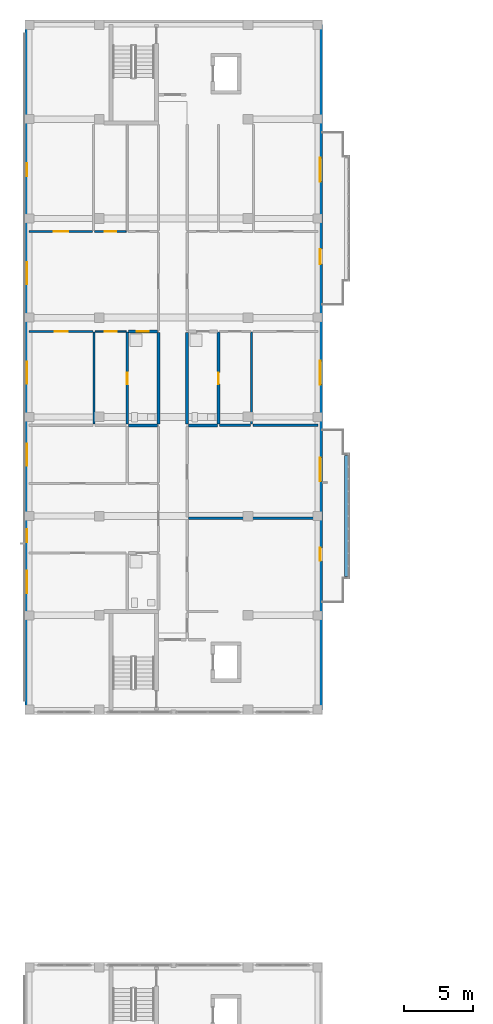
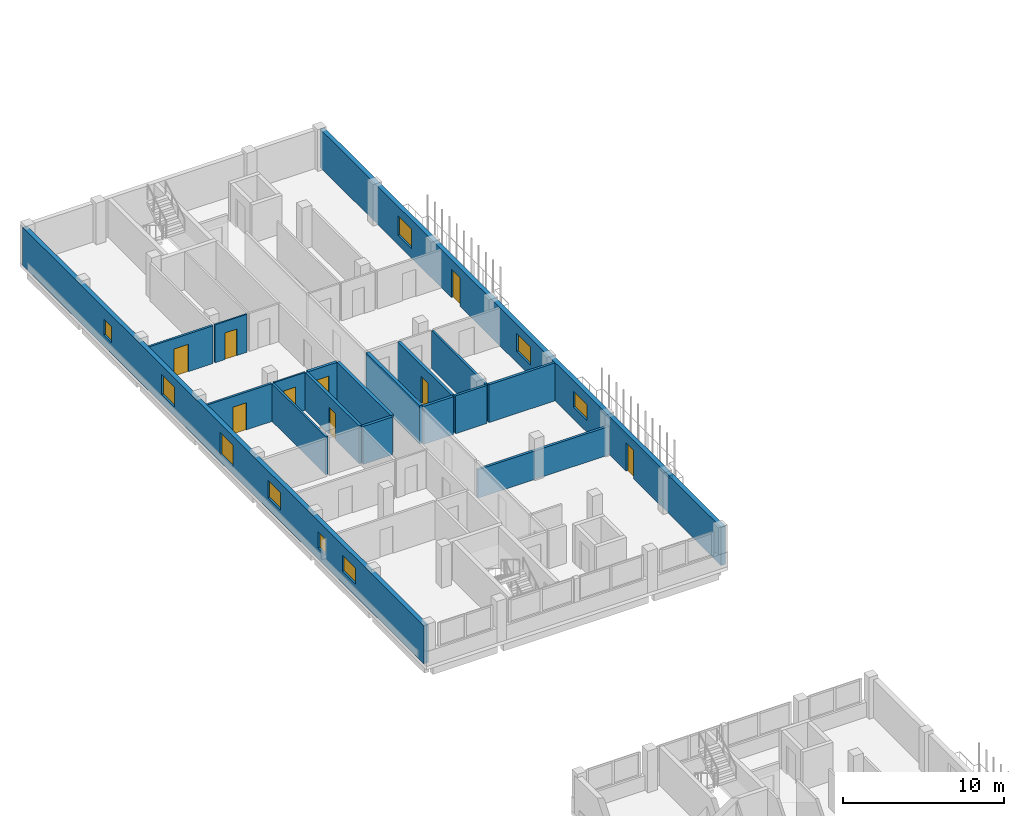
# One storey, part 31 of 56: 19 walls, 9 doors, 9 windows, 18 openings.
"""IFC4 building model written with IfcOpenShell, lengths in metres."""

from ifc_helpers import new_model, si_unit, derived_unit, direction, frame, frame_2d, origin, place, context, subcontext, project, spatial, rectangle, extrude, material, layer, layer_set, type_object, element, fill, save


model = new_model("IFC4")

# Units and contexts
model_context = context("Model", 3, precision=1e-05, world=origin(), true_north=direction((0.0, 1.0)))
body_context = subcontext(model_context, "Body", "Model", "MODEL_VIEW")
ifc_project = project(units=[si_unit("LENGTHUNIT", "METRE"), si_unit("AREAUNIT", "SQUARE_METRE"), si_unit("VOLUMEUNIT", "CUBIC_METRE"), si_unit("PLANEANGLEUNIT", "RADIAN"), si_unit("MASSUNIT", "GRAM", prefix="KILO"), derived_unit("THERMALTRANSMITTANCEUNIT", [(si_unit("MASSUNIT", "GRAM", prefix="KILO"), 1), (si_unit("TIMEUNIT", "SECOND"), -3), (si_unit("THERMODYNAMICTEMPERATUREUNIT", "KELVIN"), -1)])], contexts=[model_context])

# Site, building, storey
site_placement = place(None, origin())
site = spatial("IfcSite", under=ifc_project, at=site_placement, CompositionType="ELEMENT")
building_placement = place(site_placement, origin())
building = spatial("IfcBuilding", under=site, at=building_placement, Name="Ochrekiln Boulevard Commons", CompositionType="ELEMENT")
storey_placement = place(building_placement, frame((0.0, 0.0, 12.074951171875)))
storey = spatial("IfcBuildingStorey", under=building, at=storey_placement, Name="L03", CompositionType="ELEMENT", Elevation=12.074951171875)

# Wall, openings, windows
ifc_material_1 = material(Name="Desert ochre clinker brick masonry ASTM C216 Grade SW", Category="masonry")
ifc_layer_1 = layer(ifc_material_1, 0.320068359375)
ifc_layer_set_1 = layer_set([ifc_layer_1], Name="Desert ochre clinker brick masonry ASTM C216 Grade SW")
wall_type_1 = type_object("IfcWallType", Name="WL-EXT-OCHRE-320", PredefinedType="SOLIDWALL", material=ifc_layer_set_1)
wall_1_placement = place(storey_placement, frame((0.159912109375, 68.719970703125, 0.0), z_axis=(0.0, 0.0, 1.0), x_axis=(0.0, 1.0, 0.0)))
wall_1 = element("IfcWall", 1, at=wall_1_placement, inside=storey, type_object=wall_type_1, Name="Block A L03 W Exterior Wall", PredefinedType="SOLIDWALL", context=body_context, shape_type="SweptSolid", body=[
    extrude(rectangle(XDim=49.760009765625, YDim=0.320068359375, at=frame_2d((24.8798828125, 0.0))), origin(), (0.0, 0.0, 1.0), 2.89013671875),
])
opening_1_placement = place(wall_1_placement, frame((12.1689453125, 0.0, 0.85009765625)))
opening_1 = element("IfcOpeningElement", 2, at=opening_1_placement, cuts=wall_1, Name="Opening W-01", PredefinedType="OPENING", context=body_context, shape_type="SweptSolid", body=[
    extrude(rectangle(XDim=0.949951171875, YDim=1.199951171875, at=frame_2d((0.47509765625, 0.60009765625))), frame((0.0, 0.169921875, 0.0), z_axis=(0.0, -1.0, 0.0), x_axis=(1.0, 0.0, 0.0)), (0.0, 0.0, 1.0), 0.340087890625),
])
opening_2_placement = place(wall_1_placement, frame((8.4990234375, 0.0, 0.89990234375)))
opening_2 = element("IfcOpeningElement", 3, at=opening_2_placement, cuts=wall_1, Name="Opening W-31", PredefinedType="OPENING", context=body_context, shape_type="SweptSolid", body=[
    extrude(rectangle(XDim=1.60009765625, YDim=1.199951171875, at=frame_2d((0.800048828125, 0.60009765625))), frame((0.0, 0.169921875, 0.0), z_axis=(0.0, -1.0, 0.0), x_axis=(1.0, 0.0, 0.0)), (0.0, 0.0, 1.0), 0.340087890625),
])
opening_3_placement = place(wall_1_placement, frame((17.7470703125, 0.0, 0.85498046875)))
opening_3 = element("IfcOpeningElement", 4, at=opening_3_placement, cuts=wall_1, Name="Opening W-32", PredefinedType="OPENING", context=body_context, shape_type="SweptSolid", body=[
    extrude(rectangle(XDim=1.60009765625, YDim=1.35009765625, at=frame_2d((0.800048828125, 0.675048828125))), frame((0.0, 0.169921875, 0.0), z_axis=(0.0, -1.0, 0.0), x_axis=(1.0, 0.0, 0.0)), (0.0, 0.0, 1.0), 0.340087890625),
])
opening_4_placement = place(wall_1_placement, frame((30.89990234375, 0.0, 0.705078125)))
opening_4 = element("IfcOpeningElement", 5, at=opening_4_placement, cuts=wall_1, Name="Opening W-33", PredefinedType="OPENING", context=body_context, shape_type="SweptSolid", body=[
    extrude(rectangle(XDim=1.60009765625, YDim=1.5, at=frame_2d((0.800048828125, 0.75))), frame((0.0, 0.169921875, 0.0), z_axis=(0.0, -1.0, 0.0), x_axis=(1.0, 0.0, 0.0)), (0.0, 0.0, 1.0), 0.340087890625),
])
opening_5_placement = place(wall_1_placement, frame((23.677001953125, 0.0, 0.554931640625)))
opening_5 = element("IfcOpeningElement", 6, at=opening_5_placement, cuts=wall_1, Name="Opening W-34", PredefinedType="OPENING", context=body_context, shape_type="SweptSolid", body=[
    extrude(rectangle(XDim=1.60009765625, YDim=1.64990234375, at=frame_2d((0.800048828125, 0.824951171875))), frame((0.0, 0.169921875, 0.0), z_axis=(0.0, -1.0, 0.0), x_axis=(1.0, 0.0, 0.0)), (0.0, 0.0, 1.0), 0.340087890625),
])
opening_6_placement = place(wall_1_placement, frame((38.739990234375, 0.0, 0.85009765625)))
opening_6 = element("IfcOpeningElement", 7, at=opening_6_placement, cuts=wall_1, Name="Opening W-01", PredefinedType="OPENING", context=body_context, shape_type="SweptSolid", body=[
    extrude(rectangle(XDim=0.949951171875, YDim=1.199951171875, at=frame_2d((0.47509765625, 0.60009765625))), frame((0.0, 0.169921875, 0.0), z_axis=(0.0, -1.0, 0.0), x_axis=(1.0, 0.0, 0.0)), (0.0, 0.0, 1.0), 0.340087890625),
])
ifc_material_2 = material(Name="Thermally broken aluminium-clad oak frame", Category="aluminium")
window_type_1 = type_object("IfcWindowType", Name="WIN-EXT-01", PartitioningType="SINGLE_PANEL", PredefinedType="WINDOW", material=ifc_material_2)
window_1_placement = place(opening_1_placement, origin())
window_1 = element("IfcWindow", 8, at=window_1_placement, inside=storey, type_object=window_type_1, Name="Block A L03 Punched Masonry Window W-01", OverallHeight=1.199951171875, OverallWidth=0.949951171875, PartitioningType="SINGLE_PANEL", PredefinedType="WINDOW", context=body_context, shape_type="SweptSolid", body=[
    extrude(rectangle(XDim=0.949951171875, YDim=1.199951171875, at=frame_2d((0.47509765625, 0.60009765625))), frame((0.0, 0.030029296875, 0.0), z_axis=(0.0, -1.0, 0.0), x_axis=(1.0, 0.0, 0.0)), (0.0, 0.0, 1.0), 0.06005859375),
])
fill(opening_1, window_1)
window_2_placement = place(opening_6_placement, origin())
window_2 = element("IfcWindow", 9, at=window_2_placement, inside=storey, type_object=window_type_1, Name="Block A L03 Punched Masonry Window W-01", OverallHeight=1.199951171875, OverallWidth=0.949951171875, PartitioningType="SINGLE_PANEL", PredefinedType="WINDOW", context=body_context, shape_type="SweptSolid", body=[
    extrude(rectangle(XDim=0.949951171875, YDim=1.199951171875, at=frame_2d((0.47509765625, 0.60009765625))), frame((0.0, 0.030029296875, 0.0), z_axis=(0.0, -1.0, 0.0), x_axis=(1.0, 0.0, 0.0)), (0.0, 0.0, 1.0), 0.06005859375),
])
fill(opening_6, window_2)
window_type_2 = type_object("IfcWindowType", Name="WIN-EXT-31", PartitioningType="DOUBLE_PANEL_VERTICAL", PredefinedType="WINDOW", material=ifc_material_2)
window_3_placement = place(opening_2_placement, origin())
window_3 = element("IfcWindow", 10, at=window_3_placement, inside=storey, type_object=window_type_2, Name="Block A L03 Punched Masonry Window W-31", OverallHeight=1.199951171875, OverallWidth=1.60009765625, PartitioningType="DOUBLE_PANEL_VERTICAL", PredefinedType="WINDOW", context=body_context, shape_type="SweptSolid", body=[
    extrude(rectangle(XDim=1.60009765625, YDim=1.199951171875, at=frame_2d((0.800048828125, 0.60009765625))), frame((0.0, 0.030029296875, 0.0), z_axis=(0.0, -1.0, 0.0), x_axis=(1.0, 0.0, 0.0)), (0.0, 0.0, 1.0), 0.06005859375),
])
fill(opening_2, window_3)
window_type_3 = type_object("IfcWindowType", Name="WIN-EXT-32", PartitioningType="DOUBLE_PANEL_VERTICAL", PredefinedType="WINDOW", material=ifc_material_2)
window_4_placement = place(opening_3_placement, origin())
window_4 = element("IfcWindow", 11, at=window_4_placement, inside=storey, type_object=window_type_3, Name="Block A L03 Punched Masonry Window W-32", OverallHeight=1.35009765625, OverallWidth=1.60009765625, PartitioningType="DOUBLE_PANEL_VERTICAL", PredefinedType="WINDOW", context=body_context, shape_type="SweptSolid", body=[
    extrude(rectangle(XDim=1.60009765625, YDim=1.35009765625, at=frame_2d((0.800048828125, 0.675048828125))), frame((0.0, 0.030029296875, 0.0), z_axis=(0.0, -1.0, 0.0), x_axis=(1.0, 0.0, 0.0)), (0.0, 0.0, 1.0), 0.06005859375),
])
fill(opening_3, window_4)
window_type_4 = type_object("IfcWindowType", Name="WIN-EXT-33", PartitioningType="DOUBLE_PANEL_VERTICAL", PredefinedType="WINDOW", material=ifc_material_2)
window_5_placement = place(opening_4_placement, origin())
window_5 = element("IfcWindow", 12, at=window_5_placement, inside=storey, type_object=window_type_4, Name="Block A L03 Punched Masonry Window W-33", OverallHeight=1.5, OverallWidth=1.60009765625, PartitioningType="DOUBLE_PANEL_VERTICAL", PredefinedType="WINDOW", context=body_context, shape_type="SweptSolid", body=[
    extrude(rectangle(XDim=1.60009765625, YDim=1.5, at=frame_2d((0.800048828125, 0.75))), frame((0.0, 0.030029296875, 0.0), z_axis=(0.0, -1.0, 0.0), x_axis=(1.0, 0.0, 0.0)), (0.0, 0.0, 1.0), 0.06005859375),
])
fill(opening_4, window_5)
window_type_5 = type_object("IfcWindowType", Name="WIN-EXT-34", PartitioningType="DOUBLE_PANEL_VERTICAL", PredefinedType="WINDOW", material=ifc_material_2)
window_6_placement = place(opening_5_placement, origin())
window_6 = element("IfcWindow", 13, at=window_6_placement, inside=storey, type_object=window_type_5, Name="Block A L03 Punched Masonry Window W-34", OverallHeight=1.64990234375, OverallWidth=1.60009765625, PartitioningType="DOUBLE_PANEL_VERTICAL", PredefinedType="WINDOW", context=body_context, shape_type="SweptSolid", body=[
    extrude(rectangle(XDim=1.60009765625, YDim=1.64990234375, at=frame_2d((0.800048828125, 0.824951171875))), frame((0.0, 0.030029296875, 0.0), z_axis=(0.0, -1.0, 0.0), x_axis=(1.0, 0.0, 0.0)), (0.0, 0.0, 1.0), 0.06005859375),
])
fill(opening_5, window_6)

# Wall, openings, doors, windows
wall_2_placement = place(storey_placement, frame((21.43994140625, 68.719970703125, 0.0), z_axis=(0.0, 0.0, 1.0), x_axis=(0.0, 1.0, 0.0)))
wall_2 = element("IfcWall", 14, at=wall_2_placement, inside=storey, type_object=wall_type_1, Name="Block A L03 E Exterior Wall", PredefinedType="SOLIDWALL", context=body_context, shape_type="SweptSolid", body=[
    extrude(rectangle(XDim=49.760009765625, YDim=0.320068359375, at=frame_2d((24.8798828125, 0.0))), origin(), (0.0, 0.0, 1.0), 2.89013671875),
])
opening_7_placement = place(wall_2_placement, frame((10.830078125, 0.0, 0.0)))
opening_7 = element("IfcOpeningElement", 15, at=opening_7_placement, cuts=wall_2, Name="Opening D-L03-BL008", PredefinedType="OPENING", context=body_context, shape_type="SweptSolid", body=[
    extrude(rectangle(XDim=0.949951171875, YDim=2.14990234375, at=frame_2d((0.47509765625, 1.074951171875))), frame((0.0, 0.169921875, 0.0), z_axis=(0.0, -1.0, 0.0), x_axis=(1.0, 0.0, 0.0)), (0.0, 0.0, 1.0), 0.340087890625),
])
opening_8_placement = place(wall_2_placement, frame((16.597900390625, 0.0, 0.89990234375)))
opening_8 = element("IfcOpeningElement", 16, at=opening_8_placement, cuts=wall_2, Name="Opening W-36", PredefinedType="OPENING", context=body_context, shape_type="SweptSolid", body=[
    extrude(rectangle(XDim=1.719970703125, YDim=1.199951171875, at=frame_2d((0.85986328125, 0.60009765625))), frame((0.0, 0.169921875, 0.0), z_axis=(0.0, -1.0, 0.0), x_axis=(1.0, 0.0, 0.0)), (0.0, 0.0, 1.0), 0.340087890625),
])
opening_9_placement = place(wall_2_placement, frame((32.364990234375, 0.0, 0.0)))
opening_9 = element("IfcOpeningElement", 17, at=opening_9_placement, cuts=wall_2, Name="Opening D-L03-BL009", PredefinedType="OPENING", context=body_context, shape_type="SweptSolid", body=[
    extrude(rectangle(XDim=1.080078125, YDim=2.179931640625, at=frame_2d((0.5400390625, 1.08984375))), frame((0.0, 0.169921875, 0.0), z_axis=(0.0, -1.0, 0.0), x_axis=(1.0, 0.0, 0.0)), (0.0, 0.0, 1.0), 0.340087890625),
])
opening_10_placement = place(wall_2_placement, frame((23.616943359375, 0.0, 0.85498046875)))
opening_10 = element("IfcOpeningElement", 18, at=opening_10_placement, cuts=wall_2, Name="Opening W-37", PredefinedType="OPENING", context=body_context, shape_type="SweptSolid", body=[
    extrude(rectangle(XDim=1.719970703125, YDim=1.35009765625, at=frame_2d((0.85986328125, 0.675048828125))), frame((0.0, 0.169921875, 0.0), z_axis=(0.0, -1.0, 0.0), x_axis=(1.0, 0.0, 0.0)), (0.0, 0.0, 1.0), 0.340087890625),
])
opening_11_placement = place(wall_2_placement, frame((38.35498046875, 0.0, 0.705078125)))
opening_11 = element("IfcOpeningElement", 19, at=opening_11_placement, cuts=wall_2, Name="Opening W-38", PredefinedType="OPENING", context=body_context, shape_type="SweptSolid", body=[
    extrude(rectangle(XDim=1.719970703125, YDim=1.5, at=frame_2d((0.85986328125, 0.75))), frame((0.0, 0.169921875, 0.0), z_axis=(0.0, -1.0, 0.0), x_axis=(1.0, 0.0, 0.0)), (0.0, 0.0, 1.0), 0.340087890625),
])
door_type_1 = type_object("IfcDoorType", Name="DR-EXT-BAL-095", OperationType="NOTDEFINED", PredefinedType="DOOR", material=ifc_material_2)
door_1_placement = place(opening_7_placement, frame((0.949951171875, 0.0, 0.0), z_axis=(0.0, 0.0, 1.0), x_axis=(-1.0, 0.0, 0.0)))
door_1 = element("IfcDoor", 20, at=door_1_placement, inside=storey, type_object=door_type_1, Name="Block A L03 Glazed Balcony Patio Door", OperationType="SINGLE_SWING_LEFT", OverallHeight=2.14990234375, OverallWidth=0.949951171875, PredefinedType="DOOR", context=body_context, shape_type="SweptSolid", body=[
    extrude(rectangle(XDim=0.949951171875, YDim=2.14990234375, at=frame_2d((0.47509765625, 1.074951171875))), frame((0.0, 0.02490234375, 0.0), z_axis=(0.0, -1.0, 0.0), x_axis=(1.0, 0.0, 0.0)), (0.0, 0.0, 1.0), 0.050048828125),
])
fill(opening_7, door_1)
door_type_2 = type_object("IfcDoorType", Name="DR-EXT-BAL-108", OperationType="NOTDEFINED", PredefinedType="DOOR", material=ifc_material_2)
door_2_placement = place(opening_9_placement, frame((1.080078125, 0.0, 0.0), z_axis=(0.0, 0.0, 1.0), x_axis=(-1.0, 0.0, 0.0)))
door_2 = element("IfcDoor", 21, at=door_2_placement, inside=storey, type_object=door_type_2, Name="Block A L03 Glazed Balcony Patio Door", OperationType="SINGLE_SWING_RIGHT", OverallHeight=2.179931640625, OverallWidth=1.080078125, PredefinedType="DOOR", context=body_context, shape_type="SweptSolid", body=[
    extrude(rectangle(XDim=1.080078125, YDim=2.179931640625, at=frame_2d((0.5400390625, 1.08984375))), frame((0.0, 0.02490234375, 0.0), z_axis=(0.0, -1.0, 0.0), x_axis=(1.0, 0.0, 0.0)), (0.0, 0.0, 1.0), 0.050048828125),
])
fill(opening_9, door_2)
window_type_6 = type_object("IfcWindowType", Name="WIN-EXT-36", PartitioningType="DOUBLE_PANEL_VERTICAL", PredefinedType="WINDOW", material=ifc_material_2)
window_7_placement = place(opening_8_placement, origin())
window_7 = element("IfcWindow", 22, at=window_7_placement, inside=storey, type_object=window_type_6, Name="Block A L03 Punched Masonry Window W-36", OverallHeight=1.199951171875, OverallWidth=1.719970703125, PartitioningType="DOUBLE_PANEL_VERTICAL", PredefinedType="WINDOW", context=body_context, shape_type="SweptSolid", body=[
    extrude(rectangle(XDim=1.719970703125, YDim=1.199951171875, at=frame_2d((0.85986328125, 0.60009765625))), frame((0.0, 0.030029296875, 0.0), z_axis=(0.0, -1.0, 0.0), x_axis=(1.0, 0.0, 0.0)), (0.0, 0.0, 1.0), 0.06005859375),
])
fill(opening_8, window_7)
window_type_7 = type_object("IfcWindowType", Name="WIN-EXT-37", PartitioningType="DOUBLE_PANEL_VERTICAL", PredefinedType="WINDOW", material=ifc_material_2)
window_8_placement = place(opening_10_placement, origin())
window_8 = element("IfcWindow", 23, at=window_8_placement, inside=storey, type_object=window_type_7, Name="Block A L03 Punched Masonry Window W-37", OverallHeight=1.35009765625, OverallWidth=1.719970703125, PartitioningType="DOUBLE_PANEL_VERTICAL", PredefinedType="WINDOW", context=body_context, shape_type="SweptSolid", body=[
    extrude(rectangle(XDim=1.719970703125, YDim=1.35009765625, at=frame_2d((0.85986328125, 0.675048828125))), frame((0.0, 0.030029296875, 0.0), z_axis=(0.0, -1.0, 0.0), x_axis=(1.0, 0.0, 0.0)), (0.0, 0.0, 1.0), 0.06005859375),
])
fill(opening_10, window_8)
window_type_8 = type_object("IfcWindowType", Name="WIN-EXT-38", PartitioningType="DOUBLE_PANEL_VERTICAL", PredefinedType="WINDOW", material=ifc_material_2)
window_9_placement = place(opening_11_placement, origin())
window_9 = element("IfcWindow", 24, at=window_9_placement, inside=storey, type_object=window_type_8, Name="Block A L03 Punched Masonry Window W-38", OverallHeight=1.5, OverallWidth=1.719970703125, PartitioningType="DOUBLE_PANEL_VERTICAL", PredefinedType="WINDOW", context=body_context, shape_type="SweptSolid", body=[
    extrude(rectangle(XDim=1.719970703125, YDim=1.5, at=frame_2d((0.85986328125, 0.75))), frame((0.0, 0.030029296875, 0.0), z_axis=(0.0, -1.0, 0.0), x_axis=(1.0, 0.0, 0.0)), (0.0, 0.0, 1.0), 0.06005859375),
])
fill(opening_11, window_9)

# Wall
ifc_material_3 = material(Name="Moisture-resistant cementitious tile backer wall")
ifc_layer_2 = layer(ifc_material_3, 0.199951171875)
ifc_layer_set_2 = layer_set([ifc_layer_2], Name="Moisture-resistant cementitious tile backer wall")
wall_type_2 = type_object("IfcWallType", Name="WL-PLM-200", PredefinedType="PLUMBINGWALL", material=ifc_layer_set_2)
wall_3_placement = place(storey_placement, frame((7.52001953125, 89.3759765625, 0.0), z_axis=(0.0, 0.0, 1.0), x_axis=(1.0, 0.0, 0.0)))
element("IfcWall", 25, at=wall_3_placement, inside=storey, type_object=wall_type_2, Name="L03 Interior Wall W-PW200", PredefinedType="PLUMBINGWALL", context=body_context, shape_type="SweptSolid", body=[
    extrude(rectangle(XDim=2.10791015625, YDim=0.199951171875, at=frame_2d((1.053955078125, 0.0))), origin(), (0.0, 0.0, 1.0), 2.8701171875),
])

# Wall, opening, door
wall_4_placement = place(storey_placement, frame((7.52001953125, 96.2041015625, 0.0), z_axis=(0.0, 0.0, 1.0), x_axis=(1.0, 0.0, 0.0)))
wall_4 = element("IfcWall", 26, at=wall_4_placement, inside=storey, type_object=wall_type_2, Name="L03 Interior Wall W-PW200", PredefinedType="PLUMBINGWALL", context=body_context, shape_type="SweptSolid", body=[
    extrude(rectangle(XDim=2.10791015625, YDim=0.199951171875, at=frame_2d((1.053955078125, 0.0))), origin(), (0.0, 0.0, 1.0), 2.8701171875),
])
opening_12_placement = place(wall_4_placement, frame((0.60498046875, 0.0, 0.0)))
opening_12 = element("IfcOpeningElement", 27, at=opening_12_placement, cuts=wall_4, Name="Opening D-L03-458", PredefinedType="OPENING", context=body_context, shape_type="SweptSolid", body=[
    extrude(rectangle(XDim=0.889892578125, YDim=2.030029296875, at=frame_2d((0.44482421875, 1.01513671875))), frame((0.0, 0.10986328125, 0.0), z_axis=(0.0, -1.0, 0.0), x_axis=(1.0, 0.0, 0.0)), (0.0, 0.0, 1.0), 0.219970703125),
])
ifc_material_4 = material(Name="Solid core architectural oak door leaf")
door_type_3 = type_object("IfcDoorType", Name="DR-INT-BTH-089", OperationType="NOTDEFINED", PredefinedType="DOOR", material=ifc_material_4)
door_3_placement = place(opening_12_placement, frame((0.889892578125, 0.0, 0.0), z_axis=(0.0, 0.0, 1.0), x_axis=(-1.0, 0.0, 0.0)))
door_3 = element("IfcDoor", 28, at=door_3_placement, inside=storey, type_object=door_type_3, Name="L03 Interior Door to Apartment Bathroom", OperationType="SINGLE_SWING_RIGHT", OverallHeight=2.030029296875, OverallWidth=0.889892578125, PredefinedType="DOOR", context=body_context, shape_type="SweptSolid", body=[
    extrude(rectangle(XDim=0.889892578125, YDim=2.030029296875, at=frame_2d((0.44482421875, 1.01513671875))), frame((0.0, 0.02490234375, 0.0), z_axis=(0.0, -1.0, 0.0), x_axis=(1.0, 0.0, 0.0)), (0.0, 0.0, 1.0), 0.050048828125),
])
fill(opening_12, door_3)

wall_5_placement = place(storey_placement, frame((7.43994140625, 89.466064453125, 0.0), z_axis=(0.0, 0.0, 1.0), x_axis=(0.0, 1.0, 0.0)))
wall_5 = element("IfcWall", 29, at=wall_5_placement, inside=storey, type_object=wall_type_2, Name="L03 Interior Wall W-PW200", PredefinedType="PLUMBINGWALL", context=body_context, shape_type="SweptSolid", body=[
    extrude(rectangle(XDim=6.677978515625, YDim=0.199951171875, at=frame_2d((3.3388671875, 0.0))), origin(), (0.0, 0.0, 1.0), 2.8701171875),
])
opening_13_placement = place(wall_5_placement, frame((2.904052734375, 0.0, 0.0)))
opening_13 = element("IfcOpeningElement", 30, at=opening_13_placement, cuts=wall_5, Name="Opening D-L03-464", PredefinedType="OPENING", context=body_context, shape_type="SweptSolid", body=[
    extrude(rectangle(XDim=0.85009765625, YDim=2.010009765625, at=frame_2d((0.425048828125, 1.0048828125))), frame((0.0, 0.10986328125, 0.0), z_axis=(0.0, -1.0, 0.0), x_axis=(1.0, 0.0, 0.0)), (0.0, 0.0, 1.0), 0.219970703125),
])
door_type_4 = type_object("IfcDoorType", Name="DR-INT-KIT-085", OperationType="NOTDEFINED", PredefinedType="DOOR", material=ifc_material_4)
door_4_placement = place(opening_13_placement, frame((0.85009765625, 0.0, 0.0), z_axis=(0.0, 0.0, 1.0), x_axis=(-1.0, 0.0, 0.0)))
door_4 = element("IfcDoor", 31, at=door_4_placement, inside=storey, type_object=door_type_4, Name="L03 Interior Door to Apartment Bathroom", OperationType="SINGLE_SWING_RIGHT", OverallHeight=2.010009765625, OverallWidth=0.85009765625, PredefinedType="DOOR", context=body_context, shape_type="SweptSolid", body=[
    extrude(rectangle(XDim=0.85009765625, YDim=2.010009765625, at=frame_2d((0.425048828125, 1.0048828125))), frame((0.0, 0.02490234375, 0.0), z_axis=(0.0, -1.0, 0.0), x_axis=(1.0, 0.0, 0.0)), (0.0, 0.0, 1.0), 0.050048828125),
])
fill(opening_13, door_4)

# Wall
wall_6_placement = place(storey_placement, frame((11.8720703125, 89.3759765625, 0.0), z_axis=(0.0, 0.0, 1.0), x_axis=(1.0, 0.0, 0.0)))
element("IfcWall", 32, at=wall_6_placement, inside=storey, type_object=wall_type_2, Name="L03 Interior Wall W-PW200", PredefinedType="PLUMBINGWALL", context=body_context, shape_type="SweptSolid", body=[
    extrude(rectangle(XDim=2.10791015625, YDim=0.199951171875, at=frame_2d((1.053955078125, 0.0))), origin(), (0.0, 0.0, 1.0), 2.8701171875),
])

# Wall, opening, door
wall_7_placement = place(storey_placement, frame((14.06005859375, 89.466064453125, 0.0), z_axis=(0.0, 0.0, 1.0), x_axis=(0.0, 1.0, 0.0)))
wall_7 = element("IfcWall", 33, at=wall_7_placement, inside=storey, type_object=wall_type_2, Name="L03 Interior Wall W-PW200", PredefinedType="PLUMBINGWALL", context=body_context, shape_type="SweptSolid", body=[
    extrude(rectangle(XDim=6.677978515625, YDim=0.199951171875, at=frame_2d((3.3388671875, 0.0))), origin(), (0.0, 0.0, 1.0), 2.8701171875),
])
opening_14_placement = place(wall_7_placement, frame((2.904052734375, 0.0, 0.0)))
opening_14 = element("IfcOpeningElement", 34, at=opening_14_placement, cuts=wall_7, Name="Opening D-L03-471", PredefinedType="OPENING", context=body_context, shape_type="SweptSolid", body=[
    extrude(rectangle(XDim=0.85009765625, YDim=2.010009765625, at=frame_2d((0.425048828125, 1.0048828125))), frame((0.0, 0.10986328125, 0.0), z_axis=(0.0, -1.0, 0.0), x_axis=(1.0, 0.0, 0.0)), (0.0, 0.0, 1.0), 0.219970703125),
])
door_5_placement = place(opening_14_placement, origin())
door_5 = element("IfcDoor", 35, at=door_5_placement, inside=storey, type_object=door_type_4, Name="L03 Interior Door to Apartment Bathroom", OperationType="SINGLE_SWING_LEFT", OverallHeight=2.010009765625, OverallWidth=0.85009765625, PredefinedType="DOOR", context=body_context, shape_type="SweptSolid", body=[
    extrude(rectangle(XDim=0.85009765625, YDim=2.010009765625, at=frame_2d((0.425048828125, 1.0048828125))), frame((0.0, 0.02490234375, 0.0), z_axis=(0.0, -1.0, 0.0), x_axis=(1.0, 0.0, 0.0)), (0.0, 0.0, 1.0), 0.050048828125),
])
fill(opening_14, door_5)

# Walls
ifc_layer_3 = layer(ifc_material_3, 0.219970703125)
ifc_layer_set_3 = layer_set([ifc_layer_3], Name="Moisture-resistant cementitious tile backer wall")
wall_type_3 = type_object("IfcWallType", Name="WL-PLM-220", PredefinedType="PLUMBINGWALL", material=ifc_layer_set_3)
for number, where, z_axis, x_axis, name in (
    (36, (9.7099609375, 89.466064453125, 0.0), (0.0, 0.0, 1.0), (0.0, 1.0, 0.0), "L03 Interior Wall W-PW220"),
    (37, (11.7900390625, 89.466064453125, 0.0), (0.0, 0.0, 1.0), (0.0, 1.0, 0.0), "L03 Interior Wall W-PW220"),
):
    element("IfcWall", number, at=place(storey_placement, frame(where, z_axis=z_axis, x_axis=x_axis)), inside=storey, type_object=wall_type_3, Name=name, PredefinedType="PLUMBINGWALL", context=body_context, shape_type="SweptSolid", body=[
        extrude(rectangle(XDim=6.657958984375, YDim=0.219970703125, at=frame_2d((3.3291015625, 0.0))), origin(), (0.0, 0.0, 1.0), 2.8701171875),
    ])
ifc_material_5 = material(Name="Glazed architectural terracotta ASTM C1405", Category="masonry")
ifc_layer_4 = layer(ifc_material_5, 0.25)
ifc_layer_set_4 = layer_set([ifc_layer_4], Name="Glazed architectural terracotta ASTM C1405")
wall_type_4 = type_object("IfcWallType", Name="WL-PLN-250", PredefinedType="PARAPET", material=ifc_layer_set_4)
wall_8_placement = place(storey_placement, frame((23.320068359375, 78.409912109375, 0.0), z_axis=(0.0, 0.0, 1.0), x_axis=(0.0, 1.0, 0.0)))
element("IfcWall", 38, at=wall_8_placement, inside=storey, type_object=wall_type_4, Name="Block A L03 Balcony Terracotta Planter Box 1", PredefinedType="PARAPET", context=body_context, shape_type="SweptSolid", body=[
    extrude(rectangle(XDim=8.780029296875, YDim=0.25, at=frame_2d((4.39013671875, 0.0))), origin(), (0.0, 0.0, 1.0), 0.22998046875),
])
ifc_material_6 = material(Name="Fire-rated Type X gypsum board on steel studs", Category="steel")
ifc_layer_5 = layer(ifc_material_6, 0.179931640625)
ifc_layer_set_5 = layer_set([ifc_layer_5], Name="Fire-rated Type X gypsum board on steel studs")
wall_type_5 = type_object("IfcWallType", Name="WL-PT-DEM-180", PredefinedType="PARTITIONING", material=ifc_layer_set_5)
wall_9_placement = place(storey_placement, frame((11.8720703125, 82.64306640625, 0.0), z_axis=(0.0, 0.0, 1.0), x_axis=(1.0, 0.0, 0.0)))
element("IfcWall", 39, at=wall_9_placement, inside=storey, type_object=wall_type_5, Name="L03 Interior Wall W-PD180", PredefinedType="PARTITIONING", context=body_context, shape_type="SweptSolid", body=[
    extrude(rectangle(XDim=9.407958984375, YDim=0.179931640625, at=frame_2d((4.7041015625, 0.0))), origin(), (0.0, 0.0, 1.0), 2.16015625),
])
wall_10_placement = place(storey_placement, frame((16.550048828125, 89.3759765625, 0.0), z_axis=(0.0, 0.0, 1.0), x_axis=(1.0, 0.0, 0.0)))
element("IfcWall", 40, at=wall_10_placement, inside=storey, type_object=wall_type_5, Name="L03 Interior Wall W-PD180", PredefinedType="PARTITIONING", context=body_context, shape_type="SweptSolid", body=[
    extrude(rectangle(XDim=4.72998046875, YDim=0.179931640625, at=frame_2d((2.364990234375, 0.0))), origin(), (0.0, 0.0, 1.0), 2.8701171875),
])
wall_11_placement = place(storey_placement, frame((14.139892578125, 89.3759765625, 0.0), z_axis=(0.0, 0.0, 1.0), x_axis=(1.0, 0.0, 0.0)))
element("IfcWall", 41, at=wall_11_placement, inside=storey, type_object=wall_type_5, Name="L03 Interior Wall W-PD180", PredefinedType="PARTITIONING", context=body_context, shape_type="SweptSolid", body=[
    extrude(rectangle(XDim=2.25, YDim=0.179931640625, at=frame_2d((1.125, 0.0))), origin(), (0.0, 0.0, 1.0), 2.8701171875),
])

# Wall, opening, door
ifc_layer_6 = layer(ifc_material_6, 0.1201171875)
ifc_layer_set_6 = layer_set([ifc_layer_6], Name="Fire-rated Type X gypsum board on steel studs")
wall_type_6 = type_object("IfcWallType", Name="WL-PT-LGT-120", PredefinedType="PARTITIONING", material=ifc_layer_set_6)
wall_12_placement = place(storey_placement, frame((5.110107421875, 96.2041015625, 0.0), z_axis=(0.0, 0.0, 1.0), x_axis=(1.0, 0.0, 0.0)))
wall_12 = element("IfcWall", 42, at=wall_12_placement, inside=storey, type_object=wall_type_6, Name="L03 Interior Wall W-PL120", PredefinedType="PARTITIONING", context=body_context, shape_type="SweptSolid", body=[
    extrude(rectangle(XDim=2.25, YDim=0.1201171875, at=frame_2d((1.125, 0.0))), origin(), (0.0, 0.0, 1.0), 2.8701171875),
])
opening_15_placement = place(wall_12_placement, frame((0.699951171875, 0.0, 0.0)))
opening_15 = element("IfcOpeningElement", 43, at=opening_15_placement, cuts=wall_12, Name="Opening D-L03-461", PredefinedType="OPENING", context=body_context, shape_type="SweptSolid", body=[
    extrude(rectangle(XDim=0.85009765625, YDim=2.010009765625, at=frame_2d((0.425048828125, 1.0048828125))), frame((0.0, 0.070068359375, 0.0), z_axis=(0.0, -1.0, 0.0), x_axis=(1.0, 0.0, 0.0)), (0.0, 0.0, 1.0), 0.14013671875),
])
door_6_placement = place(opening_15_placement, frame((0.85009765625, 0.0, 0.0), z_axis=(0.0, 0.0, 1.0), x_axis=(-1.0, 0.0, 0.0)))
door_6 = element("IfcDoor", 44, at=door_6_placement, inside=storey, type_object=door_type_4, Name="L03 Interior Door to Apartment Walk-In Wardrobe", OperationType="SINGLE_SWING_LEFT", OverallHeight=2.010009765625, OverallWidth=0.85009765625, PredefinedType="DOOR", context=body_context, shape_type="SweptSolid", body=[
    extrude(rectangle(XDim=0.85009765625, YDim=2.010009765625, at=frame_2d((0.425048828125, 1.0048828125))), frame((0.0, 0.02490234375, 0.0), z_axis=(0.0, -1.0, 0.0), x_axis=(1.0, 0.0, 0.0)), (0.0, 0.0, 1.0), 0.050048828125),
])
fill(opening_15, door_6)

wall_13_placement = place(storey_placement, frame((5.072998046875, 103.449951171875, 0.0), z_axis=(0.0, 0.0, 1.0), x_axis=(1.0, 0.0, 0.0)))
wall_13 = element("IfcWall", 45, at=wall_13_placement, inside=storey, type_object=wall_type_6, Name="L03 Interior Wall W-PL120", PredefinedType="PARTITIONING", context=body_context, shape_type="SweptSolid", body=[
    extrude(rectangle(XDim=2.287109375, YDim=0.1201171875, at=frame_2d((1.1435546875, 0.0))), origin(), (0.0, 0.0, 1.0), 2.8701171875),
])
opening_16_placement = place(wall_13_placement, frame((0.718017578125, 0.0, 0.0)))
opening_16 = element("IfcOpeningElement", 46, at=opening_16_placement, cuts=wall_13, Name="Opening D-L03-463", PredefinedType="OPENING", context=body_context, shape_type="SweptSolid", body=[
    extrude(rectangle(XDim=0.85009765625, YDim=2.010009765625, at=frame_2d((0.425048828125, 1.0048828125))), frame((0.0, 0.070068359375, 0.0), z_axis=(0.0, -1.0, 0.0), x_axis=(1.0, 0.0, 0.0)), (0.0, 0.0, 1.0), 0.14013671875),
])
door_7_placement = place(opening_16_placement, origin())
door_7 = element("IfcDoor", 47, at=door_7_placement, inside=storey, type_object=door_type_4, Name="L03 Interior Door to Apartment Walk-In Wardrobe", OperationType="SINGLE_SWING_LEFT", OverallHeight=2.010009765625, OverallWidth=0.85009765625, PredefinedType="DOOR", context=body_context, shape_type="SweptSolid", body=[
    extrude(rectangle(XDim=0.85009765625, YDim=2.010009765625, at=frame_2d((0.425048828125, 1.0048828125))), frame((0.0, 0.02490234375, 0.0), z_axis=(0.0, -1.0, 0.0), x_axis=(1.0, 0.0, 0.0)), (0.0, 0.0, 1.0), 0.050048828125),
])
fill(opening_16, door_7)

ifc_layer_7 = layer(ifc_material_6, 0.14990234375)
ifc_layer_set_7 = layer_set([ifc_layer_7], Name="Fire-rated Type X gypsum board on steel studs")
wall_type_7 = type_object("IfcWallType", Name="WL-PT-STD-150", PredefinedType="PARTITIONING", material=ifc_layer_set_7)
wall_14_placement = place(storey_placement, frame((0.320068359375, 96.2041015625, 0.0), z_axis=(0.0, 0.0, 1.0), x_axis=(1.0, 0.0, 0.0)))
wall_14 = element("IfcWall", 48, at=wall_14_placement, inside=storey, type_object=wall_type_7, Name="L03 Interior Wall W-PS150", PredefinedType="PARTITIONING", context=body_context, shape_type="SweptSolid", body=[
    extrude(rectangle(XDim=4.6298828125, YDim=0.14990234375, at=frame_2d((2.31494140625, 0.0))), origin(), (0.0, 0.0, 1.0), 2.8701171875),
])
opening_17_placement = place(wall_14_placement, frame((1.860107421875, 0.0, 0.0)))
opening_17 = element("IfcOpeningElement", 49, at=opening_17_placement, cuts=wall_14, Name="Opening D-L03-460", PredefinedType="OPENING", context=body_context, shape_type="SweptSolid", body=[
    extrude(rectangle(XDim=0.93994140625, YDim=2.06005859375, at=frame_2d((0.469970703125, 1.030029296875))), frame((0.0, 0.0849609375, 0.0), z_axis=(0.0, -1.0, 0.0), x_axis=(1.0, 0.0, 0.0)), (0.0, 0.0, 1.0), 0.169921875),
])
door_type_5 = type_object("IfcDoorType", Name="DR-INT-BED-094", OperationType="NOTDEFINED", PredefinedType="DOOR", material=ifc_material_4)
door_8_placement = place(opening_17_placement, frame((0.93994140625, 0.0, 0.0), z_axis=(0.0, 0.0, 1.0), x_axis=(-1.0, 0.0, 0.0)))
door_8 = element("IfcDoor", 50, at=door_8_placement, inside=storey, type_object=door_type_5, Name="L03 Interior Door to Primary Apartment Bedroom", OperationType="SINGLE_SWING_RIGHT", OverallHeight=2.06005859375, OverallWidth=0.93994140625, PredefinedType="DOOR", context=body_context, shape_type="SweptSolid", body=[
    extrude(rectangle(XDim=0.93994140625, YDim=2.06005859375, at=frame_2d((0.469970703125, 1.030029296875))), frame((0.0, 0.02490234375, 0.0), z_axis=(0.0, -1.0, 0.0), x_axis=(1.0, 0.0, 0.0)), (0.0, 0.0, 1.0), 0.050048828125),
])
fill(opening_17, door_8)

wall_15_placement = place(storey_placement, frame((0.320068359375, 103.449951171875, 0.0), z_axis=(0.0, 0.0, 1.0), x_axis=(1.0, 0.0, 0.0)))
wall_15 = element("IfcWall", 51, at=wall_15_placement, inside=storey, type_object=wall_type_7, Name="L03 Interior Wall W-PS150", PredefinedType="PARTITIONING", context=body_context, shape_type="SweptSolid", body=[
    extrude(rectangle(XDim=4.593017578125, YDim=0.14990234375, at=frame_2d((2.29638671875, 0.0))), origin(), (0.0, 0.0, 1.0), 2.8701171875),
])
opening_18_placement = place(wall_15_placement, frame((1.7919921875, 0.0, 0.0)))
opening_18 = element("IfcOpeningElement", 52, at=opening_18_placement, cuts=wall_15, Name="Opening D-L03-462", PredefinedType="OPENING", context=body_context, shape_type="SweptSolid", body=[
    extrude(rectangle(XDim=1.0400390625, YDim=2.080078125, at=frame_2d((0.52001953125, 1.0400390625))), frame((0.0, 0.0849609375, 0.0), z_axis=(0.0, -1.0, 0.0), x_axis=(1.0, 0.0, 0.0)), (0.0, 0.0, 1.0), 0.169921875),
])
door_type_6 = type_object("IfcDoorType", Name="DR-INT-BED-104", OperationType="NOTDEFINED", PredefinedType="DOOR", material=ifc_material_4)
door_9_placement = place(opening_18_placement, origin())
door_9 = element("IfcDoor", 53, at=door_9_placement, inside=storey, type_object=door_type_6, Name="L03 Interior Door to Secondary Apartment Bedroom", OperationType="SINGLE_SWING_RIGHT", OverallHeight=2.080078125, OverallWidth=1.0400390625, PredefinedType="DOOR", context=body_context, shape_type="SweptSolid", body=[
    extrude(rectangle(XDim=1.0400390625, YDim=2.080078125, at=frame_2d((0.52001953125, 1.0400390625))), frame((0.0, 0.02490234375, 0.0), z_axis=(0.0, -1.0, 0.0), x_axis=(1.0, 0.0, 0.0)), (0.0, 0.0, 1.0), 0.050048828125),
])
fill(opening_18, door_9)

# Walls
for number, where, z_axis, x_axis, name in (
    (54, (5.030029296875, 89.466064453125, 0.0), (0.0, 0.0, 1.0), (0.0, 1.0, 0.0), "L03 Interior Wall W-PS150"),
    (55, (16.469970703125, 89.466064453125, 0.0), (0.0, 0.0, 1.0), (0.0, 1.0, 0.0), "L03 Interior Wall W-PS150"),
):
    element("IfcWall", number, at=place(storey_placement, frame(where, z_axis=z_axis, x_axis=x_axis)), inside=storey, type_object=wall_type_7, Name=name, PredefinedType="PARTITIONING", context=body_context, shape_type="SweptSolid", body=[
        extrude(rectangle(XDim=6.677978515625, YDim=0.14990234375, at=frame_2d((3.3388671875, 0.0))), origin(), (0.0, 0.0, 1.0), 2.8701171875),
    ])

save(model, "model.ifc")
